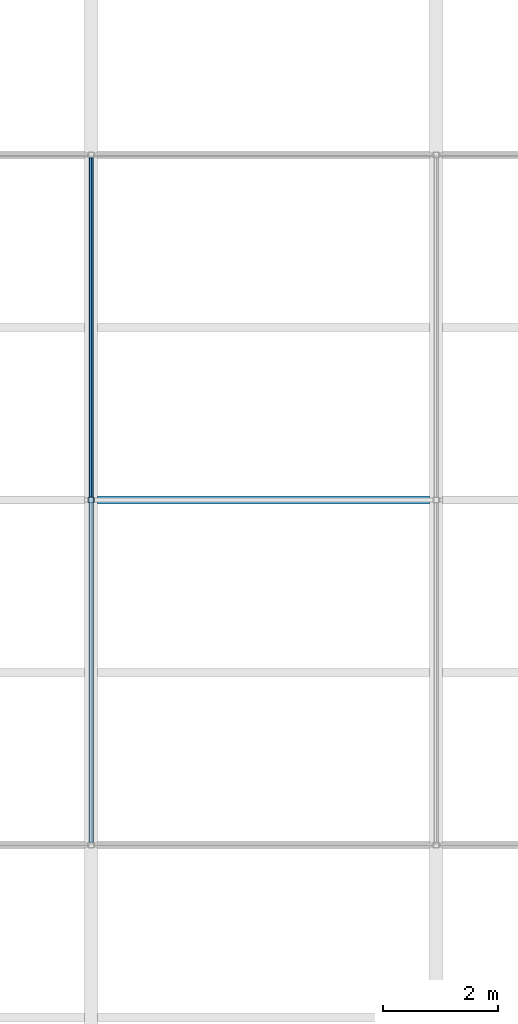
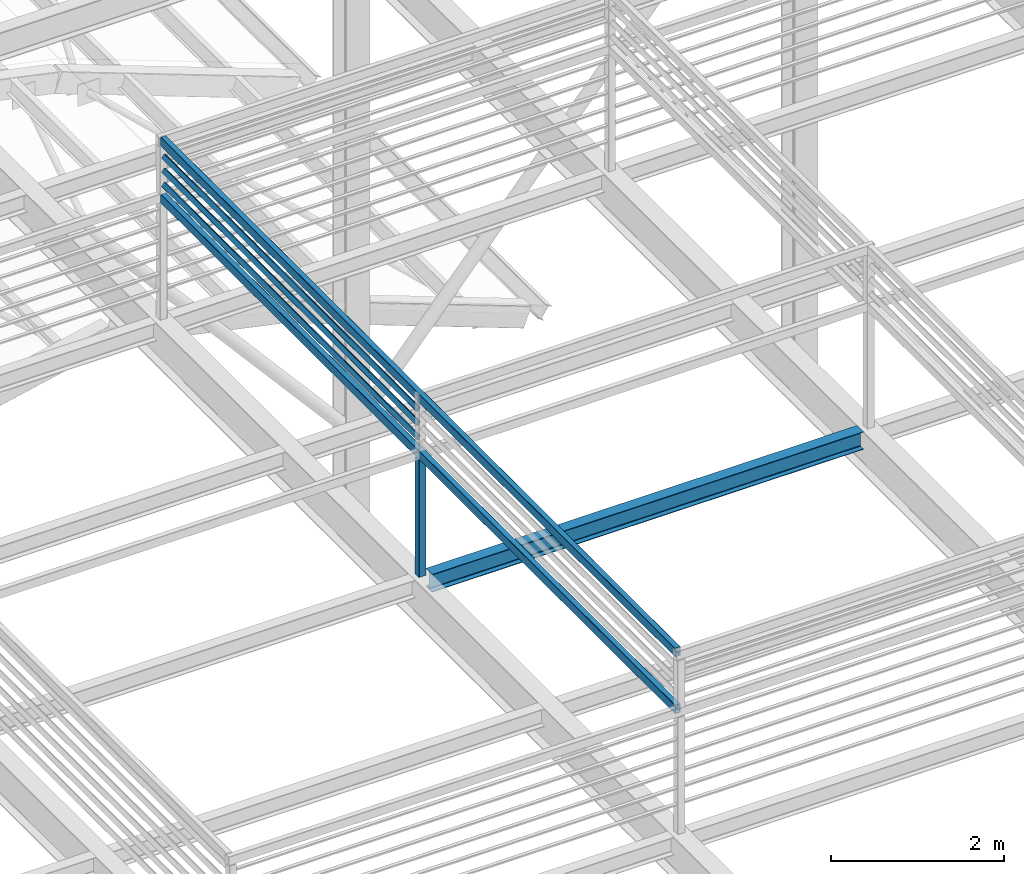
# One storey, part 10 of 57: 4 members, 3 beams.
"""IFC4 building model written with IfcOpenShell, lengths in metres."""

from ifc_helpers import new_model, si_unit, direction, frame, origin, origin_2d, place, context, subcontext, project, spatial, hollow_rectangle, i_section, extrude, material, material_profile, profile_set, type_object, element, save


model = new_model("IFC4")

# Units and contexts
model_context = context("Model", 3, precision=1e-05, world=origin(), true_north=direction((0.0, 1.0)))
body_context = subcontext(model_context, "Body", "Model", "MODEL_VIEW")
ifc_project = project(units=[si_unit("LENGTHUNIT", "METRE"), si_unit("AREAUNIT", "SQUARE_METRE"), si_unit("VOLUMEUNIT", "CUBIC_METRE"), si_unit("PLANEANGLEUNIT", "RADIAN"), si_unit("MASSUNIT", "GRAM", prefix="KILO")], contexts=[model_context])

# Site, building, storey
site_placement = place(None, origin())
site = spatial("IfcSite", under=ifc_project, at=site_placement, CompositionType="ELEMENT")
building_placement = place(site_placement, origin())
building = spatial("IfcBuilding", under=site, at=building_placement, Name="Saffron Lane Theatres", CompositionType="ELEMENT")
storey_placement = place(building_placement, frame((0.0, 0.0, 28.0)))
storey = spatial("IfcBuildingStorey", under=building, at=storey_placement, Name="Upper Roof", CompositionType="ELEMENT", Elevation=28.0)

# Member
ifc_material_1 = material(Name="Steel Grade 350", Category="steel")
ifc_material_profile_1 = material_profile(ifc_material_1, hollow_rectangle(XDim=0.10009765625, YDim=0.10009765625, WallThickness=0.006103515625, InnerFilletRadius=0.0029296875, OuterFilletRadius=0.009033203125, at=origin_2d()))
ifc_profile_set_1 = profile_set([ifc_material_profile_1], Name="Steel Grade 350")
member_type_1 = type_object("IfcMemberType", Name="ST-LANTERN POST 100x100x6 SHS", PredefinedType="POST", material=ifc_profile_set_1)
member_placement = place(storey_placement, frame((30.0, 42.25, 8.85009765625), z_axis=(0.0, 0.0, 1.0), x_axis=(1.0, 0.0, 0.0)))
element("IfcMember", 1, at=member_placement, inside=storey, type_object=member_type_1, Name="LP5", PredefinedType="POST", context=body_context, shape_type="SweptSolid", body=[
    extrude(hollow_rectangle(XDim=0.10009765625, YDim=0.10009765625, WallThickness=0.006103515625, InnerFilletRadius=0.0029296875, OuterFilletRadius=0.009033203125, at=origin_2d()), origin(), (0.0, 0.0, 1.0), 1.64990234375),
])

# Beams
ifc_material_2 = material(Name="Steel Grade 350", Category="steel")
ifc_material_profile_2 = material_profile(ifc_material_2, hollow_rectangle(XDim=0.074951171875, YDim=0.125, WallThickness=0.0048828125, InnerFilletRadius=0.00244140625, OuterFilletRadius=0.007568359375, at=origin_2d()))
ifc_profile_set_2 = profile_set([ifc_material_profile_2], Name="Steel Grade 350")
beam_type_1 = type_object("IfcBeamType", Name="ST-LANTERN RING 125x75x5 RHS", PredefinedType="BEAM", material=ifc_profile_set_2)
for number, where, z_axis, x_axis, name in (
    (2, (30.0, 36.28759765625, 10.5625), (0.0, 1.0, 0.0), (-1.0, 0.0, 0.0), "LR5"),
    (3, (30.0, 36.28759765625, 11.367431640625), (0.0, 1.0, 0.0), (-1.0, 0.0, 0.0), "LR11"),
):
    element("IfcBeam", number, at=place(storey_placement, frame(where, z_axis=z_axis, x_axis=x_axis)), inside=storey, type_object=beam_type_1, Name=name, PredefinedType="BEAM", context=body_context, shape_type="SweptSolid", body=[
        extrude(hollow_rectangle(XDim=0.074951171875, YDim=0.125, WallThickness=0.0048828125, InnerFilletRadius=0.00244140625, OuterFilletRadius=0.007568359375, at=origin_2d()), origin(), (0.0, 0.0, 1.0), 11.9248046875),
    ])

# Members
ifc_material_3 = material(Name="Steel Grade 350", Category="steel")
ifc_material_profile_3 = material_profile(ifc_material_3, hollow_rectangle(XDim=0.034912109375, YDim=0.06494140625, WallThickness=0.0029296875, InnerFilletRadius=0.00146484375, OuterFilletRadius=0.00439453125, at=origin_2d()))
ifc_profile_set_3 = profile_set([ifc_material_profile_3], Name="Steel Grade 350")
member_type_2 = type_object("IfcMemberType", Name="ST-LOUVRE SLAT 65x35x3 RHS", PredefinedType="MEMBER", material=ifc_profile_set_3)
for number, where, z_axis, x_axis, name in (
    (4, (30.0, 42.300048828125, 10.7548828125), (0.0, 1.0, 0.0), (-0.819152044289, 0.0, 0.573576436351), "LV64"),
    (5, (30.0, 42.300048828125, 10.955078125), (0.0, 1.0, 0.0), (-0.819152044289, 0.0, 0.573576436351), "LV70"),
    (6, (30.0, 42.300048828125, 11.155029296875), (0.0, 1.0, 0.0), (-0.819152044289, 0.0, 0.573576436351), "LV76"),
):
    element("IfcMember", number, at=place(storey_placement, frame(where, z_axis=z_axis, x_axis=x_axis)), inside=storey, type_object=member_type_2, Name=name, PredefinedType="MEMBER", context=body_context, shape_type="SweptSolid", body=[
        extrude(hollow_rectangle(XDim=0.034912109375, YDim=0.06494140625, WallThickness=0.0029296875, InnerFilletRadius=0.00146484375, OuterFilletRadius=0.00439453125, at=origin_2d()), origin(), (0.0, 0.0, 1.0), 5.89990234375),
    ])

# Beam
ifc_material_4 = material(Name="Steel Grade 350", Category="steel")
ifc_material_profile_4 = material_profile(ifc_material_4, i_section(OverallWidth=0.14599609375, OverallDepth=0.251953125, WebThickness=0.006103515625, FlangeThickness=0.008544921875, FilletRadius=0.011962890625, at=origin_2d()))
ifc_profile_set_4 = profile_set([ifc_material_profile_4], Name="Steel Grade 350")
beam_type_2 = type_object("IfcBeamType", Name="ST-ROOF JOIST 250UB31.4", PredefinedType="JOIST", material=ifc_profile_set_4)
beam_placement = place(storey_placement, frame((30.114013671875, 42.25, 8.72412109375), z_axis=(1.0, 0.0, 0.0), x_axis=(0.0, 1.0, 0.0)))
element("IfcBeam", 7, at=beam_placement, inside=storey, type_object=beam_type_2, Name="TT18", PredefinedType="JOIST", context=body_context, shape_type="SweptSolid", body=[
    extrude(i_section(OverallWidth=0.14599609375, OverallDepth=0.251953125, WebThickness=0.006103515625, FlangeThickness=0.008544921875, FilletRadius=0.011962890625, at=origin_2d()), origin(), (0.0, 0.0, 1.0), 5.77197265625),
])

save(model, "model.ifc")
